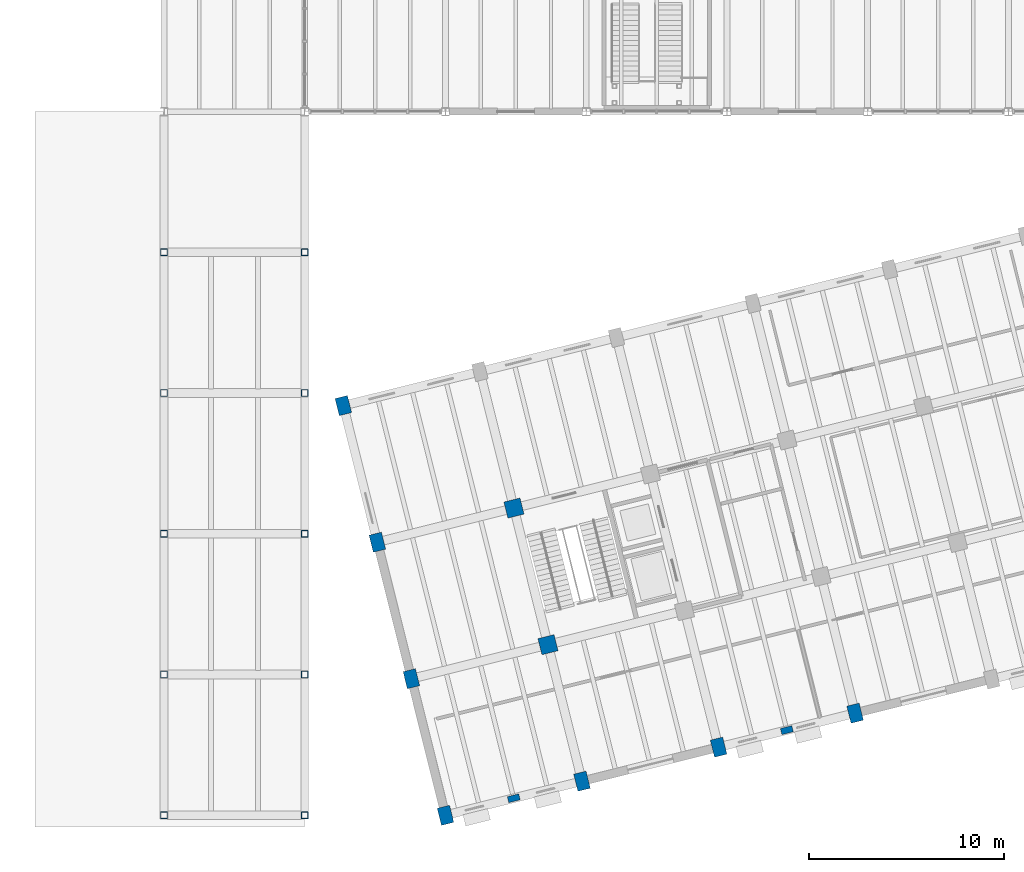
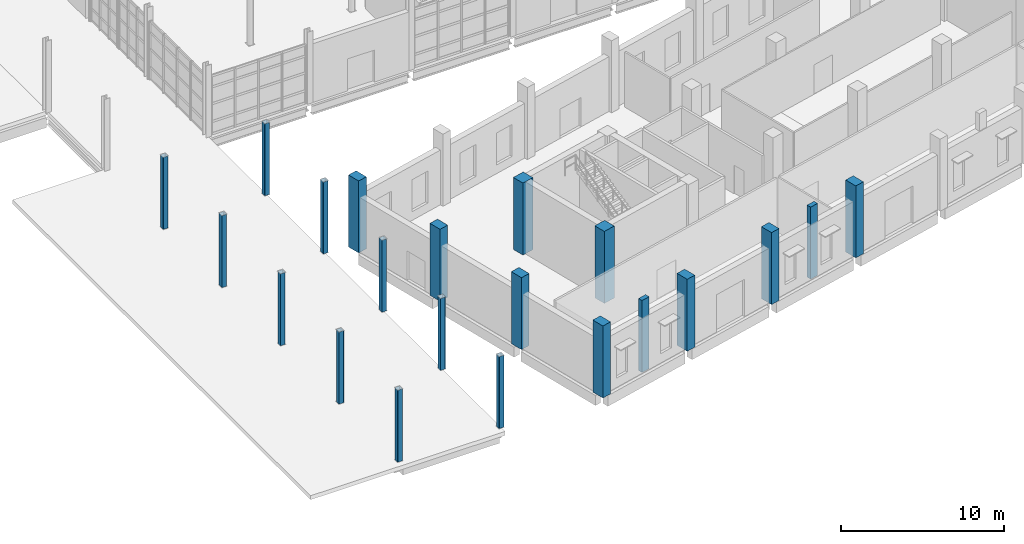
# One storey, part 1 of 79: 21 columns.
"""IFC4 building model written with IfcOpenShell, lengths in metres."""

from ifc_helpers import new_model, si_unit, direction, frame, origin, origin_2d, place, context, subcontext, project, spatial, rectangle, hollow_rectangle, extrude, material, material_profile, profile_set, type_object, element, save


model = new_model("IFC4")

# Units and contexts
model_context = context("Model", 3, precision=1e-05, world=origin(), true_north=direction((0.0, 1.0)))
body_context = subcontext(model_context, "Body", "Model", "MODEL_VIEW")
ifc_project = project(units=[si_unit("LENGTHUNIT", "METRE"), si_unit("AREAUNIT", "SQUARE_METRE"), si_unit("VOLUMEUNIT", "CUBIC_METRE"), si_unit("PLANEANGLEUNIT", "RADIAN"), si_unit("MASSUNIT", "GRAM", prefix="KILO")], contexts=[model_context])

# Site, building, storey
site_placement = place(None, origin())
site = spatial("IfcSite", under=ifc_project, at=site_placement, CompositionType="ELEMENT")
building_placement = place(site_placement, origin())
building = spatial("IfcBuilding", under=site, at=building_placement, Name="Qiaolan Assembly House", CompositionType="ELEMENT")
storey_placement = place(building_placement, origin())
storey = spatial("IfcBuildingStorey", under=building, at=storey_placement, Name="L00", CompositionType="ELEMENT", Elevation=0.0)

# Columns
ifc_material_1 = material(Name="Concrete C50/60", Category="concrete")
ifc_material_profile_1 = material_profile(ifc_material_1, rectangle(XDim=0.85009765625, YDim=0.85009765625, at=origin_2d()), Name="RC 850x850")
ifc_profile_set_1 = profile_set([ifc_material_profile_1], Name="Concrete C50/60")
column_type_1 = type_object("IfcColumnType", Name="COL-RC-850", PredefinedType="COLUMN", material=ifc_profile_set_1)
for number, where, z_axis, x_axis, name in (
    (1, (41.244384765625, 8.72802734375, 0.0), (0.0, 0.0, 1.0), (0.970295726276, 0.2419218956, 0.0), "RC-04 splayed column SE L00"),
    (2, (39.50244140625, 15.714111328125, 0.0), (0.0, 0.0, 1.0), (0.970295726276, 0.2419218956, 0.0), "RC-04 splayed column SE L00"),
):
    element("IfcColumn", number, at=place(storey_placement, frame(where, z_axis=z_axis, x_axis=x_axis)), inside=storey, type_object=column_type_1, Name=name, PredefinedType="COLUMN", context=body_context, shape_type="SweptSolid", body=[
        extrude(rectangle(XDim=0.85009765625, YDim=0.85009765625, at=origin_2d()), origin(), (0.0, 0.0, 1.0), 5.39990234375),
    ])
ifc_material_profile_2 = material_profile(ifc_material_1, rectangle(XDim=0.64990234375, YDim=0.89990234375, at=origin_2d()), Name="RC 900x650")
ifc_profile_set_2 = profile_set([ifc_material_profile_2], Name="Concrete C50/60")
column_type_2 = type_object("IfcColumnType", Name="COL-RC-900x650", PredefinedType="COLUMN", material=ifc_profile_set_2)
for number, where, z_axis, x_axis, name in (
    (3, (36.0, 0.0, 0.0), (0.0, 0.0, 1.0), (0.970295726276, 0.2419218956, 0.0), "RC-12 splayed column SE L00"),
    (4, (34.258056640625, 6.986083984375, 0.0), (0.0, 0.0, 1.0), (0.970295726276, 0.2419218956, 0.0), "RC-12 splayed column SE L00"),
    (5, (32.516357421875, 13.97216796875, 0.0), (0.0, 0.0, 1.0), (0.970295726276, 0.2419218956, 0.0), "RC-12 splayed column SE L00"),
    (6, (30.7744140625, 20.95849609375, 0.0), (0.0, 0.0, 1.0), (0.970295726276, 0.2419218956, 0.0), "RC-12 splayed column SE L00"),
    (7, (42.986083984375, 1.741943359375, 0.0), (0.0, 0.0, 1.0), (0.970295726276, 0.2419218956, 0.0), "RC-12 splayed column SE L00"),
    (8, (49.97216796875, 3.483642578125, 0.0), (0.0, 0.0, 1.0), (0.970295726276, 0.2419218956, 0.0), "RC-12 splayed column SE L00"),
    (9, (56.95849609375, 5.2255859375, 0.0), (0.0, 0.0, 1.0), (0.970295726276, 0.2419218956, 0.0), "RC-12 splayed column SE L00"),
):
    element("IfcColumn", number, at=place(storey_placement, frame(where, z_axis=z_axis, x_axis=x_axis)), inside=storey, type_object=column_type_2, Name=name, PredefinedType="COLUMN", context=body_context, shape_type="SweptSolid", body=[
        extrude(rectangle(XDim=0.64990234375, YDim=0.89990234375, at=origin_2d()), origin(), (0.0, 0.0, 1.0), 5.39990234375),
    ])
ifc_material_2 = material(Name="Steel Q355B", Category="steel")
ifc_material_profile_3 = material_profile(ifc_material_2, hollow_rectangle(XDim=0.35009765625, YDim=0.35009765625, WallThickness=0.013916015625, InnerFilletRadius=0.013916015625, OuterFilletRadius=0.028076171875, at=origin_2d()), Name="SHS 350x350x14")
ifc_profile_set_3 = profile_set([ifc_material_profile_3], Name="Steel Q355B")
column_type_3 = type_object("IfcColumnType", Name="COL-STL-SHS350", PredefinedType="COLUMN", material=ifc_profile_set_3)
for number, where, z_axis, x_axis, name in (
    (10, (21.60009765625, 0.0, 0.0), (0.0, 0.0, 1.0), (1.0, 0.0, 0.0), "SC-04 passage colonnade column L00"),
    (11, (21.60009765625, 7.199951171875, 0.0), (0.0, 0.0, 1.0), (1.0, 0.0, 0.0), "SC-04 passage colonnade column L00"),
    (12, (21.60009765625, 14.39990234375, 0.0), (0.0, 0.0, 1.0), (1.0, 0.0, 0.0), "SC-04 passage colonnade column L00"),
    (13, (21.60009765625, 21.60009765625, 0.0), (0.0, 0.0, 1.0), (1.0, 0.0, 0.0), "SC-04 passage colonnade column L00"),
    (14, (21.60009765625, 28.800048828125, 0.0), (0.0, 0.0, 1.0), (1.0, 0.0, 0.0), "SC-04 passage colonnade column L00"),
    (15, (28.800048828125, 0.0, 0.0), (0.0, 0.0, 1.0), (1.0, 0.0, 0.0), "SC-04 passage colonnade column L00"),
    (16, (28.800048828125, 7.199951171875, 0.0), (0.0, 0.0, 1.0), (1.0, 0.0, 0.0), "SC-04 passage colonnade column L00"),
    (17, (28.800048828125, 14.39990234375, 0.0), (0.0, 0.0, 1.0), (1.0, 0.0, 0.0), "SC-04 passage colonnade column L00"),
    (18, (28.800048828125, 21.60009765625, 0.0), (0.0, 0.0, 1.0), (1.0, 0.0, 0.0), "SC-04 passage colonnade column L00"),
    (19, (28.800048828125, 28.800048828125, 0.0), (0.0, 0.0, 1.0), (1.0, 0.0, 0.0), "SC-04 passage colonnade column L00"),
):
    element("IfcColumn", number, at=place(storey_placement, frame(where, z_axis=z_axis, x_axis=x_axis)), inside=storey, type_object=column_type_3, Name=name, PredefinedType="COLUMN", context=body_context, shape_type="SweptSolid", body=[
        extrude(hollow_rectangle(XDim=0.35009765625, YDim=0.35009765625, WallThickness=0.013916015625, InnerFilletRadius=0.013916015625, OuterFilletRadius=0.028076171875, at=origin_2d()), origin(), (0.0, 0.0, 1.0), 5.39990234375),
    ])
ifc_material_3 = material(Name="Precast concrete C45/55", Category="concrete")
ifc_material_profile_4 = material_profile(ifc_material_3, rectangle(XDim=0.60009765625, YDim=0.320068359375, at=origin_2d()), Name="PIL 600x320")
ifc_profile_set_4 = profile_set([ifc_material_profile_4], Name="Precast concrete C45/55")
column_type_4 = type_object("IfcColumnType", Name="PIL-SE-600x320", PredefinedType="PILASTER", material=ifc_profile_set_4)
for number, where, z_axis, x_axis, name in (
    (20, (39.4931640625, 0.870849609375, 0.0), (0.0, 0.0, 1.0), (0.970295726276, 0.2419218956, 0.0), "PL-03 boulevard pilaster SE L00"),
    (21, (53.46533203125, 4.3544921875, 0.0), (0.0, 0.0, 1.0), (0.970295726276, 0.2419218956, 0.0), "PL-03 boulevard pilaster SE L00"),
):
    element("IfcColumn", number, at=place(storey_placement, frame(where, z_axis=z_axis, x_axis=x_axis)), inside=storey, type_object=column_type_4, Name=name, PredefinedType="PILASTER", context=body_context, shape_type="SweptSolid", body=[
        extrude(rectangle(XDim=0.60009765625, YDim=0.320068359375, at=origin_2d()), origin(), (0.0, 0.0, 1.0), 5.39990234375),
    ])

save(model, "model.ifc")
